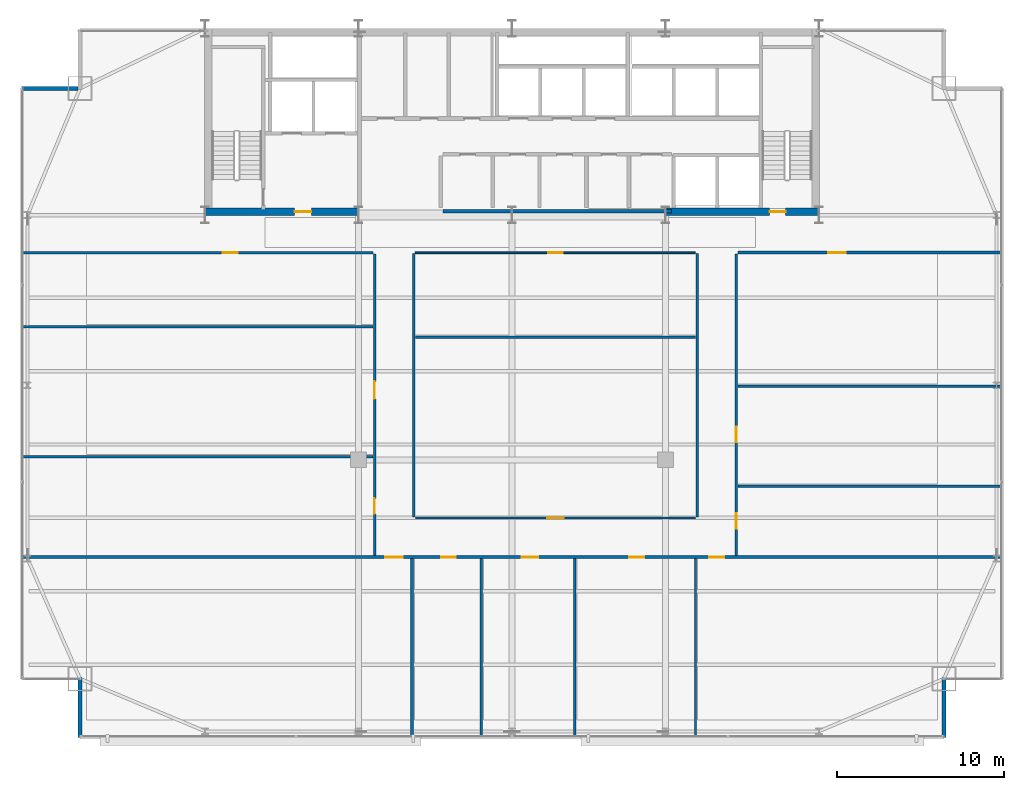
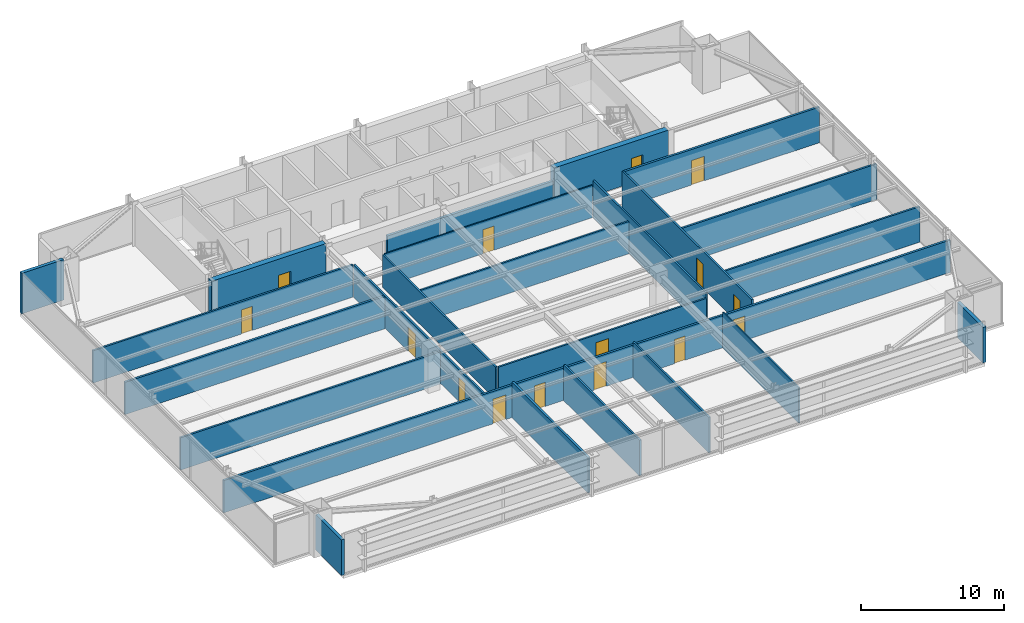
# One storey, part 29 of 33: 24 walls, 15 doors, 15 openings.
"""IFC4 building model written with IfcOpenShell, lengths in metres."""

from ifc_helpers import new_model, si_unit, direction, frame, frame_2d, origin, place, context, subcontext, project, spatial, rectangle, extrude, source, transform, mapped, material, layer, layer_set, type_object, type_shapes, element, fill, save


model = new_model("IFC4")

# Units and contexts
model_context = context("Model", 3, precision=1e-05, world=origin(), true_north=direction((0.0, 1.0)))
body_context = subcontext(model_context, "Body", "Model", "MODEL_VIEW")
ifc_project = project(units=[si_unit("LENGTHUNIT", "METRE"), si_unit("AREAUNIT", "SQUARE_METRE"), si_unit("VOLUMEUNIT", "CUBIC_METRE"), si_unit("PLANEANGLEUNIT", "RADIAN"), si_unit("MASSUNIT", "GRAM", prefix="KILO")], contexts=[model_context])

# Site, building, storey
site_placement = place(None, origin())
site = spatial("IfcSite", under=ifc_project, at=site_placement, CompositionType="ELEMENT")
building_placement = place(site_placement, origin())
building = spatial("IfcBuilding", under=site, at=building_placement, Name="Varnel Quay Broadcast Tower", CompositionType="ELEMENT")
storey_placement = place(building_placement, frame((0.0, 0.0, 137.199951171875)))
storey = spatial("IfcBuildingStorey", under=building, at=storey_placement, Name="L33", CompositionType="ELEMENT", Elevation=137.199951171875)

# Wall, opening, door
ifc_material_1 = material(Name="Concrete CSA A23.3 C60/75", Category="concrete")
ifc_layer_1 = layer(ifc_material_1, 0.449951171875, Name="Concrete CSA A23.3 C60/75")
ifc_layer_set_1 = layer_set([ifc_layer_1], Name="Concrete CSA A23.3 C60/75")
wall_type_1 = type_object("IfcWallType", Name="Wall_CoreShearInt450", PredefinedType="SHEAR", material=ifc_layer_set_1)
wall_1_placement = place(storey_placement, frame((15.570068359375, 35.794921875, 0.0), z_axis=(0.0, 0.0, 1.0), x_axis=(1.0, 0.0, 0.0)))
wall_1 = element("IfcWall", 1, at=wall_1_placement, inside=storey, type_object=wall_type_1, Name="L33 South-West Core Shear Wall", PredefinedType="SHEAR", context=body_context, shape_type="SweptSolid", body=[
    extrude(rectangle(XDim=9.22998046875, YDim=0.449951171875, at=frame_2d((4.614990234375, 0.0))), origin(), (0.0, 0.0, 1.0), 3.47998046875),
])
opening_1_placement = place(wall_1_placement, frame((5.39990234375, 0.0, 0.0)))
opening_1 = element("IfcOpeningElement", 2, at=opening_1_placement, cuts=wall_1, Name="Opening D-L33-FFL", PredefinedType="OPENING", context=body_context, shape_type="SweptSolid", body=[
    extrude(rectangle(XDim=1.0, YDim=2.10009765625, at=frame_2d((0.5, 1.050048828125))), frame((0.0, 0.23486328125, 0.0), z_axis=(0.0, -1.0, 0.0), x_axis=(1.0, 0.0, 0.0)), (0.0, 0.0, 1.0), 0.469970703125),
])
ifc_material_2 = material(Name="Insulated Fire-Rated Hollow Steel Door", Category="steel")
door_type_1 = type_object("IfcDoorType", Name="Door_FireLobby1000", OperationType="NOTDEFINED", PredefinedType="DOOR", material=ifc_material_2)
shared_shape_1 = source(origin(), body_context, "Body", "SweptSolid", [
    extrude(rectangle(XDim=1.0, YDim=2.10009765625, at=frame_2d((0.5, 1.050048828125))), frame((0.0, 0.02490234375, 0.0), z_axis=(0.0, -1.0, 0.0), x_axis=(1.0, 0.0, 0.0)), (0.0, 0.0, 1.0), 0.050048828125),
])
type_shapes(door_type_1, [shared_shape_1])
door_1_placement = place(opening_1_placement, origin())
door_1 = element("IfcDoor", 3, at=door_1_placement, inside=storey, type_object=door_type_1, Name="L33 Firefighting Lobby Door", OperationType="SINGLE_SWING_LEFT", OverallHeight=2.10009765625, OverallWidth=1.0, PredefinedType="DOOR", context=body_context, shape_type="MappedRepresentation", body=[
    mapped(shared_shape_1, transform((0.0, 0.0, 0.0), x_axis=(1.0, 0.0, 0.0), y_axis=(0.0, 1.0, 0.0), z_axis=(0.0, 0.0, 1.0), scale=1.0)),
])
fill(opening_1, door_1)

wall_2_placement = place(storey_placement, frame((43.199951171875, 35.794921875, 0.0), z_axis=(0.0, 0.0, 1.0), x_axis=(1.0, 0.0, 0.0)))
wall_2 = element("IfcWall", 4, at=wall_2_placement, inside=storey, type_object=wall_type_1, Name="L33 South-East Core Shear Wall", PredefinedType="SHEAR", context=body_context, shape_type="SweptSolid", body=[
    extrude(rectangle(XDim=9.22998046875, YDim=0.449951171875, at=frame_2d((4.614990234375, 0.0))), origin(), (0.0, 0.0, 1.0), 3.47998046875),
])
opening_2_placement = place(wall_2_placement, frame((6.25, 0.0, 0.0)))
opening_2 = element("IfcOpeningElement", 5, at=opening_2_placement, cuts=wall_2, Name="Opening D-L33-S2", PredefinedType="OPENING", context=body_context, shape_type="SweptSolid", body=[
    extrude(rectangle(XDim=0.949951171875, YDim=2.10009765625, at=frame_2d((0.47509765625, 1.050048828125))), frame((0.0, 0.23486328125, 0.0), z_axis=(0.0, -1.0, 0.0), x_axis=(1.0, 0.0, 0.0)), (0.0, 0.0, 1.0), 0.469970703125),
])
door_type_2 = type_object("IfcDoorType", Name="Door_FireStair950", OperationType="NOTDEFINED", PredefinedType="DOOR", material=ifc_material_2)
shared_shape_2 = source(origin(), body_context, "Body", "SweptSolid", [
    extrude(rectangle(XDim=0.949951171875, YDim=2.10009765625, at=frame_2d((0.47509765625, 1.050048828125))), frame((0.0, 0.02490234375, 0.0), z_axis=(0.0, -1.0, 0.0), x_axis=(1.0, 0.0, 0.0)), (0.0, 0.0, 1.0), 0.050048828125),
])
type_shapes(door_type_2, [shared_shape_2])
door_2_placement = place(opening_2_placement, origin())
door_2 = element("IfcDoor", 6, at=door_2_placement, inside=storey, type_object=door_type_2, Name="L33 Stair 2 Fire Door", OperationType="SINGLE_SWING_RIGHT", OverallHeight=2.10009765625, OverallWidth=0.949951171875, PredefinedType="DOOR", context=body_context, shape_type="MappedRepresentation", body=[
    mapped(shared_shape_2, transform((0.0, 0.0, 0.0), x_axis=(1.0, 0.0, 0.0), y_axis=(0.0, 1.0, 0.0), z_axis=(0.0, 0.0, 1.0), scale=1.0)),
])
fill(opening_2, door_2)

# Walls
ifc_material_3 = material(Name="Precast Architectural Concrete C40/50", Category="concrete")
ifc_layer_2 = layer(ifc_material_3, 0.25, Name="Precast Architectural Concrete C40/50")
ifc_layer_set_2 = layer_set([ifc_layer_2], Name="Precast Architectural Concrete C40/50")
wall_type_2 = type_object("IfcWallType", Name="Wall_ExtTerrace250", PredefinedType="SOLIDWALL", material=ifc_layer_set_2)
for number, where, z_axis, x_axis, name in (
    (7, (8.10009765625, 4.280029296875, 0.0), (0.0, 0.0, 1.0), (0.0, 1.0, 0.0), "L33 Mega-Column Notch Cladding Wall NSW2"),
    (8, (59.89990234375, 4.280029296875, 0.0), (0.0, 0.0, 1.0), (0.0, 1.0, 0.0), "L33 Mega-Column Notch Cladding Wall NSE2"),
):
    element("IfcWall", number, at=place(storey_placement, frame(where, z_axis=z_axis, x_axis=x_axis)), inside=storey, type_object=wall_type_2, Name=name, PredefinedType="SOLIDWALL", context=body_context, shape_type="SweptSolid", body=[
        extrude(rectangle(XDim=3.599853515625, YDim=0.25, at=frame_2d((1.7998046875, 0.0))), origin(), (0.0, 0.0, 1.0), 3.0380859375),
    ])
wall_3_placement = place(storey_placement, frame((4.580078125, 43.199951171875, 0.0), z_axis=(0.0, 0.0, 1.0), x_axis=(1.0, 0.0, 0.0)))
element("IfcWall", 9, at=wall_3_placement, inside=storey, type_object=wall_type_2, Name="L33 Mega-Column Notch Cladding Wall NNW1", PredefinedType="SOLIDWALL", context=body_context, shape_type="SweptSolid", body=[
    extrude(rectangle(XDim=3.389892578125, YDim=0.25, at=frame_2d((1.69482421875, 0.0))), origin(), (0.0, 0.0, 1.0), 3.4599609375),
])
ifc_material_4 = material(Name="Concrete Blockwork Fire Enclosure C40/50", Category="masonry")
ifc_layer_3 = layer(ifc_material_4, 0.199951171875, Name="Concrete Blockwork Fire Enclosure C40/50")
ifc_layer_set_3 = layer_set([ifc_layer_3], Name="Concrete Blockwork Fire Enclosure C40/50")
wall_type_3 = type_object("IfcWallType", Name="Wall_FireShaft200", PredefinedType="SOLIDWALL", material=ifc_layer_set_3)
wall_4_placement = place(storey_placement, frame((29.85009765625, 35.824951171875, 0.0), z_axis=(0.0, 0.0, 1.0), x_axis=(1.0, 0.0, 0.0)))
element("IfcWall", 10, at=wall_4_placement, inside=storey, type_object=wall_type_3, Name="L33 Accessible Washroom Partition 1", PredefinedType="SOLIDWALL", context=body_context, shape_type="SweptSolid", body=[
    extrude(rectangle(XDim=13.699951171875, YDim=0.199951171875, at=frame_2d((6.85009765625, 0.0))), origin(), (0.0, 0.0, 1.0), 2.255126953125),
])
ifc_material_5 = material(Name="Steel-Stud Fire-Rated Acoustic Gypsum Partition Assembly", Category="steel")
ifc_layer_4 = layer(ifc_material_5, 0.10498046875, Name="Steel-Stud Fire-Rated Acoustic Gypsum Partition Assembly")
ifc_layer_set_4 = layer_set([ifc_layer_4], Name="Steel-Stud Fire-Rated Acoustic Gypsum Partition Assembly")
wall_type_4 = type_object("IfcWallType", Name="Wall_Partition105", PredefinedType="PARTITIONING", material=ifc_layer_set_4)
wall_5_placement = place(storey_placement, frame((45.0, 4.3798828125, 0.0), z_axis=(0.0, 0.0, 1.0), x_axis=(0.0, 1.0, 0.0)))
element("IfcWall", 11, at=wall_5_placement, inside=storey, type_object=wall_type_4, Name="L33 Camera Locker Store 4 Partition 12", PredefinedType="PARTITIONING", context=body_context, shape_type="SweptSolid", body=[
    extrude(rectangle(XDim=10.6220703125, YDim=0.10498046875, at=frame_2d((5.31103515625, 0.0))), origin(), (0.0, 0.0, 1.0), 3.0380859375),
])

# Wall, opening, door
wall_6_placement = place(storey_placement, frame((28.2099609375, 33.35009765625, 0.0), z_axis=(0.0, 0.0, 1.0), x_axis=(1.0, 0.0, 0.0)))
wall_6 = element("IfcWall", 12, at=wall_6_placement, inside=storey, type_object=wall_type_4, Name="L33 Camera Locker Store 10 Partition 21", PredefinedType="PARTITIONING", context=body_context, shape_type="SweptSolid", body=[
    extrude(rectangle(XDim=16.7900390625, YDim=0.10498046875, at=frame_2d((8.39501953125, 0.0))), origin(), (0.0, 0.0, 1.0), 2.760009765625),
])
opening_3_placement = place(wall_6_placement, frame((7.955078125, 0.0, 0.0)))
opening_3 = element("IfcOpeningElement", 13, at=opening_3_placement, cuts=wall_6, Name="Opening D-L33-15", PredefinedType="OPENING", context=body_context, shape_type="SweptSolid", body=[
    extrude(rectangle(XDim=0.8798828125, YDim=2.06005859375, at=frame_2d((0.43994140625, 1.030029296875))), frame((0.0, 0.0625, 0.0), z_axis=(0.0, -1.0, 0.0), x_axis=(1.0, 0.0, 0.0)), (0.0, 0.0, 1.0), 0.125),
])
ifc_material_6 = material(Name="Solid-Core Fire-Rated Acoustic Oak Veneer Door", Category="wood")
door_type_3 = type_object("IfcDoorType", Name="Door_Booth880", OperationType="NOTDEFINED", PredefinedType="DOOR", material=ifc_material_6)
shared_shape_3 = source(origin(), body_context, "Body", "SweptSolid", [
    extrude(rectangle(XDim=0.8798828125, YDim=2.06005859375, at=frame_2d((0.43994140625, 1.030029296875))), frame((0.0, 0.02490234375, 0.0), z_axis=(0.0, -1.0, 0.0), x_axis=(1.0, 0.0, 0.0)), (0.0, 0.0, 1.0), 0.050048828125),
])
type_shapes(door_type_3, [shared_shape_3])
door_3_placement = place(opening_3_placement, frame((0.8798828125, 0.0, 0.0), z_axis=(0.0, 0.0, 1.0), x_axis=(-1.0, 0.0, 0.0)))
door_3 = element("IfcDoor", 14, at=door_3_placement, inside=storey, type_object=door_type_3, Name="L33 Camera Locker Store 10 Door D-L33-15", OperationType="SINGLE_SWING_RIGHT", OverallHeight=2.06005859375, OverallWidth=0.8798828125, PredefinedType="DOOR", context=body_context, shape_type="MappedRepresentation", body=[
    mapped(shared_shape_3, transform((0.0, 0.0, 0.0), x_axis=(1.0, 0.0, 0.0), y_axis=(0.0, 1.0, 0.0), z_axis=(0.0, 0.0, 1.0), scale=1.0)),
])
fill(opening_3, door_3)

# Wall
ifc_layer_5 = layer(ifc_material_5, 0.139892578125, Name="Steel-Stud Fire-Rated Acoustic Gypsum Partition Assembly")
ifc_layer_set_5 = layer_set([ifc_layer_5], Name="Steel-Stud Fire-Rated Acoustic Gypsum Partition Assembly")
wall_type_5 = type_object("IfcWallType", Name="Wall_Partition140", PredefinedType="PARTITIONING", material=ifc_layer_set_5)
wall_7_placement = place(storey_placement, frame((37.77001953125, 4.3798828125, 0.0), z_axis=(0.0, 0.0, 1.0), x_axis=(0.0, 1.0, 0.0)))
element("IfcWall", 15, at=wall_7_placement, inside=storey, type_object=wall_type_5, Name="L33 Press Green Lounge 3 Partition 11", PredefinedType="PARTITIONING", context=body_context, shape_type="SweptSolid", body=[
    extrude(rectangle(XDim=10.6220703125, YDim=0.139892578125, at=frame_2d((5.31103515625, 0.0))), origin(), (0.0, 0.0, 1.0), 3.0380859375),
])

# Wall, opening, door
wall_8_placement = place(storey_placement, frame((28.2099609375, 17.43994140625, 0.0), z_axis=(0.0, 0.0, 1.0), x_axis=(1.0, 0.0, 0.0)))
wall_8 = element("IfcWall", 16, at=wall_8_placement, inside=storey, type_object=wall_type_5, Name="L33 Press Green Lounge 9 Partition 17", PredefinedType="PARTITIONING", context=body_context, shape_type="SweptSolid", body=[
    extrude(rectangle(XDim=16.7900390625, YDim=0.139892578125, at=frame_2d((8.39501953125, 0.0))), origin(), (0.0, 0.0, 1.0), 2.760009765625),
])
opening_4_placement = place(wall_8_placement, frame((7.89501953125, 0.0, 0.0)))
opening_4 = element("IfcOpeningElement", 17, at=opening_4_placement, cuts=wall_8, Name="Opening D-L33-14", PredefinedType="OPENING", context=body_context, shape_type="SweptSolid", body=[
    extrude(rectangle(XDim=1.0, YDim=2.10009765625, at=frame_2d((0.5, 1.050048828125))), frame((0.0, 0.080078125, 0.0), z_axis=(0.0, -1.0, 0.0), x_axis=(1.0, 0.0, 0.0)), (0.0, 0.0, 1.0), 0.159912109375),
])
door_type_4 = type_object("IfcDoorType", Name="Door_Exec1000", OperationType="NOTDEFINED", PredefinedType="DOOR", material=ifc_material_6)
shared_shape_4 = source(origin(), body_context, "Body", "SweptSolid", [
    extrude(rectangle(XDim=1.0, YDim=2.10009765625, at=frame_2d((0.5, 1.050048828125))), frame((0.0, 0.02490234375, 0.0), z_axis=(0.0, -1.0, 0.0), x_axis=(1.0, 0.0, 0.0)), (0.0, 0.0, 1.0), 0.050048828125),
])
type_shapes(door_type_4, [shared_shape_4])
door_4_placement = place(opening_4_placement, origin())
door_4 = element("IfcDoor", 18, at=door_4_placement, inside=storey, type_object=door_type_4, Name="L33 Press Green Lounge 9 Door D-L33-14", OperationType="SINGLE_SWING_LEFT", OverallHeight=2.10009765625, OverallWidth=1.0, PredefinedType="DOOR", context=body_context, shape_type="MappedRepresentation", body=[
    mapped(shared_shape_4, transform((0.0, 0.0, 0.0), x_axis=(1.0, 0.0, 0.0), y_axis=(0.0, 1.0, 0.0), z_axis=(0.0, 0.0, 1.0), scale=1.0)),
])
fill(opening_4, door_4)

# Walls
wall_9_placement = place(storey_placement, frame((45.10009765625, 17.510009765625, 0.0), z_axis=(0.0, 0.0, 1.0), x_axis=(0.0, 1.0, 0.0)))
element("IfcWall", 19, at=wall_9_placement, inside=storey, type_object=wall_type_5, Name="L33 Press Green Lounge 9 Partition 18", PredefinedType="PARTITIONING", context=body_context, shape_type="SweptSolid", body=[
    extrude(rectangle(XDim=15.787109375, YDim=0.139892578125, at=frame_2d((7.8935546875, 0.0))), origin(), (0.0, 0.0, 1.0), 3.152099609375),
])
wall_10_placement = place(storey_placement, frame((28.2099609375, 28.280029296875, 0.0), z_axis=(0.0, 0.0, 1.0), x_axis=(1.0, 0.0, 0.0)))
element("IfcWall", 20, at=wall_10_placement, inside=storey, type_object=wall_type_5, Name="L33 Press Green Lounge 9 Partition 19", PredefinedType="PARTITIONING", context=body_context, shape_type="SweptSolid", body=[
    extrude(rectangle(XDim=16.7900390625, YDim=0.139892578125, at=frame_2d((8.39501953125, 0.0))), origin(), (0.0, 0.0, 1.0), 2.760009765625),
])
wall_11_placement = place(storey_placement, frame((28.110107421875, 17.510009765625, 0.0), z_axis=(0.0, 0.0, 1.0), x_axis=(0.0, 1.0, 0.0)))
element("IfcWall", 21, at=wall_11_placement, inside=storey, type_object=wall_type_5, Name="L33 Press Green Lounge 9 Partition 20", PredefinedType="PARTITIONING", context=body_context, shape_type="SweptSolid", body=[
    extrude(rectangle(XDim=15.787109375, YDim=0.139892578125, at=frame_2d((7.8935546875, 0.0))), origin(), (0.0, 0.0, 1.0), 2.760009765625),
])
ifc_layer_6 = layer(ifc_material_5, 0.14990234375, Name="Steel-Stud Fire-Rated Acoustic Gypsum Partition Assembly")
ifc_layer_set_6 = layer_set([ifc_layer_6], Name="Steel-Stud Fire-Rated Acoustic Gypsum Partition Assembly")
wall_type_6 = type_object("IfcWallType", Name="Wall_Partition150", PredefinedType="PARTITIONING", material=ifc_layer_set_6)
wall_12_placement = place(storey_placement, frame((32.169921875, 4.3798828125, 0.0), z_axis=(0.0, 0.0, 1.0), x_axis=(0.0, 1.0, 0.0)))
element("IfcWall", 22, at=wall_12_placement, inside=storey, type_object=wall_type_6, Name="L33 Break Kitchen 2 Partition 10", PredefinedType="PARTITIONING", context=body_context, shape_type="SweptSolid", body=[
    extrude(rectangle(XDim=10.6220703125, YDim=0.14990234375, at=frame_2d((5.31103515625, 0.0))), origin(), (0.0, 0.0, 1.0), 3.0380859375),
])

# Wall, openings, doors
wall_13_placement = place(storey_placement, frame((25.760009765625, 15.177978515625, 0.0), z_axis=(0.0, 0.0, 1.0), x_axis=(0.0, 1.0, 0.0)))
wall_13 = element("IfcWall", 23, at=wall_13_placement, inside=storey, type_object=wall_type_6, Name="L33 Assignment Desk 6 Partition 13", PredefinedType="PARTITIONING", context=body_context, shape_type="SweptSolid", body=[
    extrude(rectangle(XDim=18.096923828125, YDim=0.14990234375, at=frame_2d((9.04833984375, 0.0))), origin(), (0.0, 0.0, 1.0), 2.760009765625),
])
opening_5_placement = place(wall_13_placement, frame((2.511962890625, 0.0, 0.0)))
opening_5 = element("IfcOpeningElement", 24, at=opening_5_placement, cuts=wall_13, Name="Opening D-L33-11", PredefinedType="OPENING", context=body_context, shape_type="SweptSolid", body=[
    extrude(rectangle(XDim=0.919921875, YDim=2.080078125, at=frame_2d((0.4599609375, 1.0400390625))), frame((0.0, 0.0849609375, 0.0), z_axis=(0.0, -1.0, 0.0), x_axis=(1.0, 0.0, 0.0)), (0.0, 0.0, 1.0), 0.169921875),
])
opening_6_placement = place(wall_13_placement, frame((9.406982421875, 0.0, 0.0)))
opening_6 = element("IfcOpeningElement", 25, at=opening_6_placement, cuts=wall_13, Name="Opening D-L33-12", PredefinedType="OPENING", context=body_context, shape_type="SweptSolid", body=[
    extrude(rectangle(XDim=1.050048828125, YDim=2.10009765625, at=frame_2d((0.52490234375, 1.050048828125))), frame((0.0, 0.0849609375, 0.0), z_axis=(0.0, -1.0, 0.0), x_axis=(1.0, 0.0, 0.0)), (0.0, 0.0, 1.0), 0.169921875),
])
door_type_5 = type_object("IfcDoorType", Name="Door_Office920", OperationType="NOTDEFINED", PredefinedType="DOOR", material=ifc_material_6)
shared_shape_5 = source(origin(), body_context, "Body", "SweptSolid", [
    extrude(rectangle(XDim=0.919921875, YDim=2.080078125, at=frame_2d((0.4599609375, 1.0400390625))), frame((0.0, 0.02490234375, 0.0), z_axis=(0.0, -1.0, 0.0), x_axis=(1.0, 0.0, 0.0)), (0.0, 0.0, 1.0), 0.050048828125),
])
type_shapes(door_type_5, [shared_shape_5])
door_5_placement = place(opening_5_placement, origin())
door_5 = element("IfcDoor", 26, at=door_5_placement, inside=storey, type_object=door_type_5, Name="L33 Assignment Desk 6 Door D-L33-11", OperationType="SINGLE_SWING_RIGHT", OverallHeight=2.080078125, OverallWidth=0.919921875, PredefinedType="DOOR", context=body_context, shape_type="MappedRepresentation", body=[
    mapped(shared_shape_5, transform((0.0, 0.0, 0.0), x_axis=(1.0, 0.0, 0.0), y_axis=(0.0, 1.0, 0.0), z_axis=(0.0, 0.0, 1.0), scale=1.0)),
])
fill(opening_5, door_5)
door_type_6 = type_object("IfcDoorType", Name="Door_Meeting1050", OperationType="NOTDEFINED", PredefinedType="DOOR", material=ifc_material_6)
shared_shape_6 = source(origin(), body_context, "Body", "SweptSolid", [
    extrude(rectangle(XDim=1.050048828125, YDim=2.10009765625, at=frame_2d((0.52490234375, 1.050048828125))), frame((0.0, 0.02490234375, 0.0), z_axis=(0.0, -1.0, 0.0), x_axis=(1.0, 0.0, 0.0)), (0.0, 0.0, 1.0), 0.050048828125),
])
type_shapes(door_type_6, [shared_shape_6])
door_6_placement = place(opening_6_placement, origin())
door_6 = element("IfcDoor", 27, at=door_6_placement, inside=storey, type_object=door_type_6, Name="L33 Editorial Boardroom 7 Door D-L33-12", OperationType="SINGLE_SWING_LEFT", OverallHeight=2.10009765625, OverallWidth=1.050048828125, PredefinedType="DOOR", context=body_context, shape_type="MappedRepresentation", body=[
    mapped(shared_shape_6, transform((0.0, 0.0, 0.0), x_axis=(1.0, 0.0, 0.0), y_axis=(0.0, 1.0, 0.0), z_axis=(0.0, 0.0, 1.0), scale=1.0)),
])
fill(opening_6, door_6)

# Wall
wall_14_placement = place(storey_placement, frame((4.679931640625, 21.110107421875, 0.0), z_axis=(0.0, 0.0, 1.0), x_axis=(1.0, 0.0, 0.0)))
element("IfcWall", 28, at=wall_14_placement, inside=storey, type_object=wall_type_6, Name="L33 Assignment Desk 6 Partition 14", PredefinedType="PARTITIONING", context=body_context, shape_type="SweptSolid", body=[
    extrude(rectangle(XDim=20.97998046875, YDim=0.14990234375, at=frame_2d((10.489990234375, 0.0))), origin(), (0.0, 0.0, 1.0), 2.760009765625),
])

# Wall, opening, door
wall_15_placement = place(storey_placement, frame((4.679931640625, 33.35009765625, 0.0), z_axis=(0.0, 0.0, 1.0), x_axis=(1.0, 0.0, 0.0)))
wall_15 = element("IfcWall", 29, at=wall_15_placement, inside=storey, type_object=wall_type_6, Name="L33 Break Kitchen 8 Partition 16", PredefinedType="PARTITIONING", context=body_context, shape_type="SweptSolid", body=[
    extrude(rectangle(XDim=20.97998046875, YDim=0.14990234375, at=frame_2d((10.489990234375, 0.0))), origin(), (0.0, 0.0, 1.0), 2.760009765625),
])
opening_7_placement = place(wall_15_placement, frame((11.985107421875, 0.0, 0.0)))
opening_7 = element("IfcOpeningElement", 30, at=opening_7_placement, cuts=wall_15, Name="Opening D-L33-13", PredefinedType="OPENING", context=body_context, shape_type="SweptSolid", body=[
    extrude(rectangle(XDim=0.8798828125, YDim=2.06005859375, at=frame_2d((0.43994140625, 1.030029296875))), frame((0.0, 0.0849609375, 0.0), z_axis=(0.0, -1.0, 0.0), x_axis=(1.0, 0.0, 0.0)), (0.0, 0.0, 1.0), 0.169921875),
])
door_7_placement = place(opening_7_placement, frame((0.8798828125, 0.0, 0.0), z_axis=(0.0, 0.0, 1.0), x_axis=(-1.0, 0.0, 0.0)))
door_7 = element("IfcDoor", 31, at=door_7_placement, inside=storey, type_object=door_type_3, Name="L33 Break Kitchen 8 Door D-L33-13", OperationType="SINGLE_SWING_RIGHT", OverallHeight=2.06005859375, OverallWidth=0.8798828125, PredefinedType="DOOR", context=body_context, shape_type="MappedRepresentation", body=[
    mapped(shared_shape_3, transform((0.0, 0.0, 0.0), x_axis=(1.0, 0.0, 0.0), y_axis=(0.0, 1.0, 0.0), z_axis=(0.0, 0.0, 1.0), scale=1.0)),
])
fill(opening_7, door_7)

# Wall
wall_16_placement = place(storey_placement, frame((47.550048828125, 19.330078125, 0.0), z_axis=(0.0, 0.0, 1.0), x_axis=(1.0, 0.0, 0.0)))
element("IfcWall", 32, at=wall_16_placement, inside=storey, type_object=wall_type_6, Name="L33 Broadcast Newsroom 11 Partition 22", PredefinedType="PARTITIONING", context=body_context, shape_type="SweptSolid", body=[
    extrude(rectangle(XDim=15.77001953125, YDim=0.14990234375, at=frame_2d((7.885009765625, 0.0))), origin(), (0.0, 0.0, 1.0), 3.0380859375),
])

# Wall, openings, doors
wall_17_placement = place(storey_placement, frame((47.449951171875, 15.177978515625, 0.0), z_axis=(0.0, 0.0, 1.0), x_axis=(0.0, 1.0, 0.0)))
wall_17 = element("IfcWall", 33, at=wall_17_placement, inside=storey, type_object=wall_type_6, Name="L33 Broadcast Newsroom 11 Partition 23", PredefinedType="PARTITIONING", context=body_context, shape_type="SweptSolid", body=[
    extrude(rectangle(XDim=18.0849609375, YDim=0.14990234375, at=frame_2d((9.04248046875, 0.0))), origin(), (0.0, 0.0, 1.0), 3.152099609375),
])
opening_8_placement = place(wall_17_placement, frame((1.6220703125, 0.0, 0.0)))
opening_8 = element("IfcOpeningElement", 34, at=opening_8_placement, cuts=wall_17, Name="Opening D-L33-16", PredefinedType="OPENING", context=body_context, shape_type="SweptSolid", body=[
    extrude(rectangle(XDim=0.919921875, YDim=2.080078125, at=frame_2d((0.4599609375, 1.0400390625))), frame((0.0, 0.0849609375, 0.0), z_axis=(0.0, -1.0, 0.0), x_axis=(1.0, 0.0, 0.0)), (0.0, 0.0, 1.0), 0.169921875),
])
opening_9_placement = place(wall_17_placement, frame((6.802001953125, 0.0, 0.0)))
opening_9 = element("IfcOpeningElement", 35, at=opening_9_placement, cuts=wall_17, Name="Opening D-L33-17", PredefinedType="OPENING", context=body_context, shape_type="SweptSolid", body=[
    extrude(rectangle(XDim=0.919921875, YDim=2.080078125, at=frame_2d((0.4599609375, 1.0400390625))), frame((0.0, 0.0849609375, 0.0), z_axis=(0.0, -1.0, 0.0), x_axis=(1.0, 0.0, 0.0)), (0.0, 0.0, 1.0), 0.169921875),
])
door_8_placement = place(opening_8_placement, frame((0.919921875, 0.0, 0.0), z_axis=(0.0, 0.0, 1.0), x_axis=(-1.0, 0.0, 0.0)))
door_8 = element("IfcDoor", 36, at=door_8_placement, inside=storey, type_object=door_type_5, Name="L33 Broadcast Newsroom 11 Door D-L33-16", OperationType="SINGLE_SWING_LEFT", OverallHeight=2.080078125, OverallWidth=0.919921875, PredefinedType="DOOR", context=body_context, shape_type="MappedRepresentation", body=[
    mapped(shared_shape_5, transform((0.0, 0.0, 0.0), x_axis=(1.0, 0.0, 0.0), y_axis=(0.0, 1.0, 0.0), z_axis=(0.0, 0.0, 1.0), scale=1.0)),
])
fill(opening_8, door_8)
door_9_placement = place(opening_9_placement, frame((0.919921875, 0.0, 0.0), z_axis=(0.0, 0.0, 1.0), x_axis=(-1.0, 0.0, 0.0)))
door_9 = element("IfcDoor", 37, at=door_9_placement, inside=storey, type_object=door_type_5, Name="L33 Assignment Desk 12 Door D-L33-17", OperationType="SINGLE_SWING_RIGHT", OverallHeight=2.080078125, OverallWidth=0.919921875, PredefinedType="DOOR", context=body_context, shape_type="MappedRepresentation", body=[
    mapped(shared_shape_5, transform((0.0, 0.0, 0.0), x_axis=(1.0, 0.0, 0.0), y_axis=(0.0, 1.0, 0.0), z_axis=(0.0, 0.0, 1.0), scale=1.0)),
])
fill(opening_9, door_9)

# Walls
wall_18_placement = place(storey_placement, frame((47.550048828125, 25.35009765625, 0.0), z_axis=(0.0, 0.0, 1.0), x_axis=(1.0, 0.0, 0.0)))
element("IfcWall", 38, at=wall_18_placement, inside=storey, type_object=wall_type_6, Name="L33 Assignment Desk 12 Partition 24", PredefinedType="PARTITIONING", context=body_context, shape_type="SweptSolid", body=[
    extrude(rectangle(XDim=15.77001953125, YDim=0.14990234375, at=frame_2d((7.885009765625, 0.0))), origin(), (0.0, 0.0, 1.0), 3.0380859375),
])
ifc_layer_7 = layer(ifc_material_5, 0.175048828125, Name="Steel-Stud Fire-Rated Acoustic Gypsum Partition Assembly")
ifc_layer_set_7 = layer_set([ifc_layer_7], Name="Steel-Stud Fire-Rated Acoustic Gypsum Partition Assembly")
wall_type_7 = type_object("IfcWallType", Name="Wall_Partition175", PredefinedType="PARTITIONING", material=ifc_layer_set_7)
wall_19_placement = place(storey_placement, frame((28.010009765625, 4.3798828125, 0.0), z_axis=(0.0, 0.0, 1.0), x_axis=(0.0, 1.0, 0.0)))
element("IfcWall", 39, at=wall_19_placement, inside=storey, type_object=wall_type_7, Name="L33 Editorial Boardroom 1 Partition 8", PredefinedType="PARTITIONING", context=body_context, shape_type="SweptSolid", body=[
    extrude(rectangle(XDim=10.6220703125, YDim=0.175048828125, at=frame_2d((5.31103515625, 0.0))), origin(), (0.0, 0.0, 1.0), 3.0380859375),
])

# Wall, openings, doors
wall_20_placement = place(storey_placement, frame((4.679931640625, 15.090087890625, 0.0), z_axis=(0.0, 0.0, 1.0), x_axis=(1.0, 0.0, 0.0)))
wall_20 = element("IfcWall", 40, at=wall_20_placement, inside=storey, type_object=wall_type_7, Name="L33 Editorial Boardroom 1 Partition 9", PredefinedType="PARTITIONING", context=body_context, shape_type="SweptSolid", body=[
    extrude(rectangle(XDim=58.64013671875, YDim=0.175048828125, at=frame_2d((29.320068359375, 0.0))), origin(), (0.0, 0.0, 1.0), 2.760009765625),
])
opening_10_placement = place(wall_20_placement, frame((21.72998046875, 0.0, 0.0)))
opening_10 = element("IfcOpeningElement", 41, at=opening_10_placement, cuts=wall_20, Name="Opening D-L33-06", PredefinedType="OPENING", context=body_context, shape_type="SweptSolid", body=[
    extrude(rectangle(XDim=1.050048828125, YDim=2.10009765625, at=frame_2d((0.52490234375, 1.050048828125))), frame((0.0, 0.09765625, 0.0), z_axis=(0.0, -1.0, 0.0), x_axis=(1.0, 0.0, 0.0)), (0.0, 0.0, 1.0), 0.195068359375),
])
opening_11_placement = place(wall_20_placement, frame((25.070068359375, 0.0, 0.0)))
opening_11 = element("IfcOpeningElement", 42, at=opening_11_placement, cuts=wall_20, Name="Opening D-L33-07", PredefinedType="OPENING", context=body_context, shape_type="SweptSolid", body=[
    extrude(rectangle(XDim=0.8798828125, YDim=2.06005859375, at=frame_2d((0.43994140625, 1.030029296875))), frame((0.0, 0.09765625, 0.0), z_axis=(0.0, -1.0, 0.0), x_axis=(1.0, 0.0, 0.0)), (0.0, 0.0, 1.0), 0.195068359375),
])
opening_12_placement = place(wall_20_placement, frame((29.889892578125, 0.0, 0.0)))
opening_12 = element("IfcOpeningElement", 43, at=opening_12_placement, cuts=wall_20, Name="Opening D-L33-08", PredefinedType="OPENING", context=body_context, shape_type="SweptSolid", body=[
    extrude(rectangle(XDim=1.0, YDim=2.10009765625, at=frame_2d((0.5, 1.050048828125))), frame((0.0, 0.09765625, 0.0), z_axis=(0.0, -1.0, 0.0), x_axis=(1.0, 0.0, 0.0)), (0.0, 0.0, 1.0), 0.195068359375),
])
opening_13_placement = place(wall_20_placement, frame((36.364990234375, 0.0, 0.0)))
opening_13 = element("IfcOpeningElement", 44, at=opening_13_placement, cuts=wall_20, Name="Opening D-L33-09", PredefinedType="OPENING", context=body_context, shape_type="SweptSolid", body=[
    extrude(rectangle(XDim=0.8798828125, YDim=2.06005859375, at=frame_2d((0.43994140625, 1.030029296875))), frame((0.0, 0.09765625, 0.0), z_axis=(0.0, -1.0, 0.0), x_axis=(1.0, 0.0, 0.0)), (0.0, 0.0, 1.0), 0.195068359375),
])
opening_14_placement = place(wall_20_placement, frame((41.135009765625, 0.0, 0.0)))
opening_14 = element("IfcOpeningElement", 45, at=opening_14_placement, cuts=wall_20, Name="Opening D-L33-10", PredefinedType="OPENING", context=body_context, shape_type="SweptSolid", body=[
    extrude(rectangle(XDim=0.919921875, YDim=2.080078125, at=frame_2d((0.4599609375, 1.0400390625))), frame((0.0, 0.09765625, 0.0), z_axis=(0.0, -1.0, 0.0), x_axis=(1.0, 0.0, 0.0)), (0.0, 0.0, 1.0), 0.195068359375),
])
door_10_placement = place(opening_11_placement, frame((0.8798828125, 0.0, 0.0), z_axis=(0.0, 0.0, 1.0), x_axis=(-1.0, 0.0, 0.0)))
door_10 = element("IfcDoor", 46, at=door_10_placement, inside=storey, type_object=door_type_3, Name="L33 Break Kitchen 2 Door D-L33-07", OperationType="SINGLE_SWING_RIGHT", OverallHeight=2.06005859375, OverallWidth=0.8798828125, PredefinedType="DOOR", context=body_context, shape_type="MappedRepresentation", body=[
    mapped(shared_shape_3, transform((0.0, 0.0, 0.0), x_axis=(1.0, 0.0, 0.0), y_axis=(0.0, 1.0, 0.0), z_axis=(0.0, 0.0, 1.0), scale=1.0)),
])
fill(opening_11, door_10)
door_11_placement = place(opening_13_placement, frame((0.8798828125, 0.0, 0.0), z_axis=(0.0, 0.0, 1.0), x_axis=(-1.0, 0.0, 0.0)))
door_11 = element("IfcDoor", 47, at=door_11_placement, inside=storey, type_object=door_type_3, Name="L33 Camera Locker Store 4 Door D-L33-09", OperationType="SINGLE_SWING_RIGHT", OverallHeight=2.06005859375, OverallWidth=0.8798828125, PredefinedType="DOOR", context=body_context, shape_type="MappedRepresentation", body=[
    mapped(shared_shape_3, transform((0.0, 0.0, 0.0), x_axis=(1.0, 0.0, 0.0), y_axis=(0.0, 1.0, 0.0), z_axis=(0.0, 0.0, 1.0), scale=1.0)),
])
fill(opening_13, door_11)
door_12_placement = place(opening_14_placement, frame((0.919921875, 0.0, 0.0), z_axis=(0.0, 0.0, 1.0), x_axis=(-1.0, 0.0, 0.0)))
door_12 = element("IfcDoor", 48, at=door_12_placement, inside=storey, type_object=door_type_5, Name="L33 Broadcast Newsroom 5 Door D-L33-10", OperationType="SINGLE_SWING_LEFT", OverallHeight=2.080078125, OverallWidth=0.919921875, PredefinedType="DOOR", context=body_context, shape_type="MappedRepresentation", body=[
    mapped(shared_shape_5, transform((0.0, 0.0, 0.0), x_axis=(1.0, 0.0, 0.0), y_axis=(0.0, 1.0, 0.0), z_axis=(0.0, 0.0, 1.0), scale=1.0)),
])
fill(opening_14, door_12)
door_13_placement = place(opening_12_placement, frame((1.0, 0.0, 0.0), z_axis=(0.0, 0.0, 1.0), x_axis=(-1.0, 0.0, 0.0)))
door_13 = element("IfcDoor", 49, at=door_13_placement, inside=storey, type_object=door_type_4, Name="L33 Press Green Lounge 3 Door D-L33-08", OperationType="SINGLE_SWING_LEFT", OverallHeight=2.10009765625, OverallWidth=1.0, PredefinedType="DOOR", context=body_context, shape_type="MappedRepresentation", body=[
    mapped(shared_shape_4, transform((0.0, 0.0, 0.0), x_axis=(1.0, 0.0, 0.0), y_axis=(0.0, 1.0, 0.0), z_axis=(0.0, 0.0, 1.0), scale=1.0)),
])
fill(opening_12, door_13)
door_14_placement = place(opening_10_placement, frame((1.050048828125, 0.0, 0.0), z_axis=(0.0, 0.0, 1.0), x_axis=(-1.0, 0.0, 0.0)))
door_14 = element("IfcDoor", 50, at=door_14_placement, inside=storey, type_object=door_type_6, Name="L33 Editorial Boardroom 1 Door D-L33-06", OperationType="SINGLE_SWING_LEFT", OverallHeight=2.10009765625, OverallWidth=1.050048828125, PredefinedType="DOOR", context=body_context, shape_type="MappedRepresentation", body=[
    mapped(shared_shape_6, transform((0.0, 0.0, 0.0), x_axis=(1.0, 0.0, 0.0), y_axis=(0.0, 1.0, 0.0), z_axis=(0.0, 0.0, 1.0), scale=1.0)),
])
fill(opening_10, door_14)

# Wall
wall_21_placement = place(storey_placement, frame((4.679931640625, 28.909912109375, 0.0), z_axis=(0.0, 0.0, 1.0), x_axis=(1.0, 0.0, 0.0)))
element("IfcWall", 51, at=wall_21_placement, inside=storey, type_object=wall_type_7, Name="L33 Editorial Boardroom 7 Partition 15", PredefinedType="PARTITIONING", context=body_context, shape_type="SweptSolid", body=[
    extrude(rectangle(XDim=20.97998046875, YDim=0.175048828125, at=frame_2d((10.489990234375, 0.0))), origin(), (0.0, 0.0, 1.0), 2.760009765625),
])

# Wall, opening, door
wall_22_placement = place(storey_placement, frame((47.550048828125, 33.35009765625, 0.0), z_axis=(0.0, 0.0, 1.0), x_axis=(1.0, 0.0, 0.0)))
wall_22 = element("IfcWall", 52, at=wall_22_placement, inside=storey, type_object=wall_type_7, Name="L33 Editorial Boardroom 13 Partition 25", PredefinedType="PARTITIONING", context=body_context, shape_type="SweptSolid", body=[
    extrude(rectangle(XDim=15.77001953125, YDim=0.175048828125, at=frame_2d((7.885009765625, 0.0))), origin(), (0.0, 0.0, 1.0), 3.0380859375),
])
opening_15_placement = place(wall_22_placement, frame((5.425048828125, 0.0, 0.0)))
opening_15 = element("IfcOpeningElement", 53, at=opening_15_placement, cuts=wall_22, Name="Opening D-L33-18", PredefinedType="OPENING", context=body_context, shape_type="SweptSolid", body=[
    extrude(rectangle(XDim=1.050048828125, YDim=2.10009765625, at=frame_2d((0.52490234375, 1.050048828125))), frame((0.0, 0.09765625, 0.0), z_axis=(0.0, -1.0, 0.0), x_axis=(1.0, 0.0, 0.0)), (0.0, 0.0, 1.0), 0.195068359375),
])
door_15_placement = place(opening_15_placement, frame((1.050048828125, 0.0, 0.0), z_axis=(0.0, 0.0, 1.0), x_axis=(-1.0, 0.0, 0.0)))
door_15 = element("IfcDoor", 54, at=door_15_placement, inside=storey, type_object=door_type_6, Name="L33 Editorial Boardroom 13 Door D-L33-18", OperationType="SINGLE_SWING_LEFT", OverallHeight=2.10009765625, OverallWidth=1.050048828125, PredefinedType="DOOR", context=body_context, shape_type="MappedRepresentation", body=[
    mapped(shared_shape_6, transform((0.0, 0.0, 0.0), x_axis=(1.0, 0.0, 0.0), y_axis=(0.0, 1.0, 0.0), z_axis=(0.0, 0.0, 1.0), scale=1.0)),
])
fill(opening_15, door_15)

save(model, "model.ifc")
